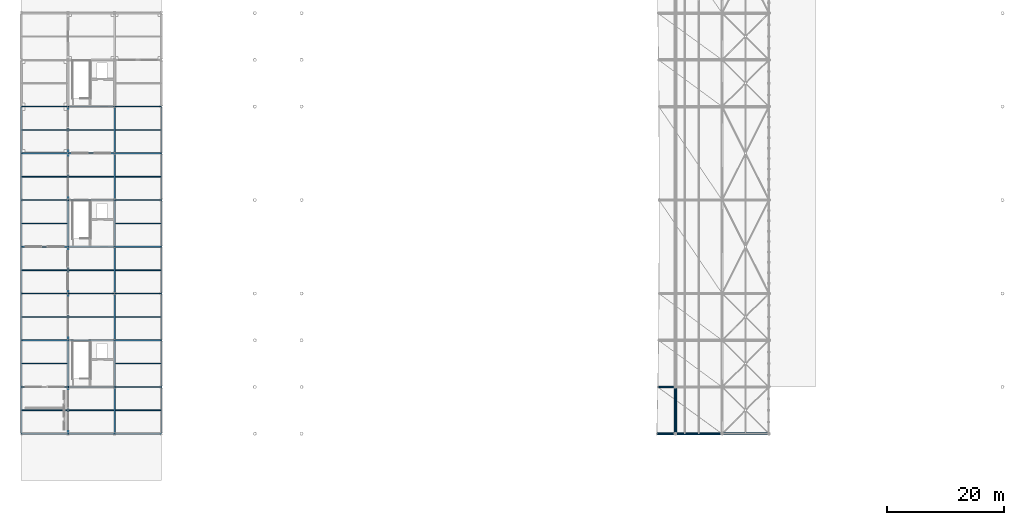
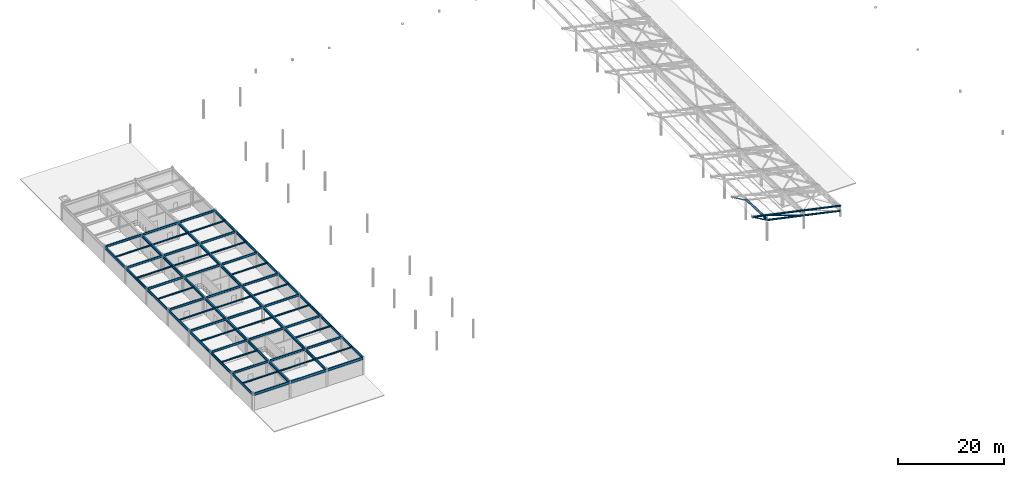
# One storey, part 13 of 41: 72 beams, 5 members.
"""IFC4 building model written with IfcOpenShell, lengths in metres."""

from ifc_helpers import new_model, si_unit, direction, frame, origin, origin_2d, place, context, subcontext, project, spatial, hollow_circle, i_section, extrude, material, material_profile, profile_set, type_object, element, save


model = new_model("IFC4")

# Units and contexts
model_context = context("Model", 3, precision=1e-05, world=origin(), true_north=direction((0.0, 1.0)))
body_context = subcontext(model_context, "Body", "Model", "MODEL_VIEW")
ifc_project = project(units=[si_unit("LENGTHUNIT", "METRE"), si_unit("AREAUNIT", "SQUARE_METRE"), si_unit("VOLUMEUNIT", "CUBIC_METRE"), si_unit("PLANEANGLEUNIT", "RADIAN"), si_unit("MASSUNIT", "GRAM", prefix="KILO")], contexts=[model_context])

# Site, building, storey
site_placement = place(None, origin())
site = spatial("IfcSite", under=ifc_project, at=site_placement, CompositionType="ELEMENT")
building_placement = place(site_placement, origin())
building = spatial("IfcBuilding", under=site, at=building_placement, Name="Haebicheon Civic Stadium", CompositionType="ELEMENT")
storey_placement = place(building_placement, frame((0.0, 0.0, 27.0)))
storey = spatial("IfcBuildingStorey", under=building, at=storey_placement, Name="L07", CompositionType="ELEMENT", Elevation=27.0)

# Beams
ifc_material_1 = material(Name="Steel SM355 (S355)", Category="steel")
ifc_material_profile_1 = material_profile(ifc_material_1, i_section(OverallWidth=0.199951171875, OverallDepth=0.5, WebThickness=0.010009765625, FlangeThickness=0.01611328125, at=origin_2d()), Name="H-500x200x10x16")
ifc_profile_set_1 = profile_set([ifc_material_profile_1], Name="Steel SM355 (S355)")
beam_type_1 = type_object("IfcBeamType", Name="BM-ST-H500", PredefinedType="BEAM", material=ifc_profile_set_1)
for number, where, z_axis, x_axis, name in (
    (1, (24.0, 56.0, 3.72998046875), (1.0, 0.0, 0.0), (0.0, 1.0, 0.0), "L07 beam H/4-5"),
    (2, (24.0, 64.0, 3.72998046875), (1.0, 0.0, 0.0), (0.0, 1.0, 0.0), "L07 beam J/4-5"),
    (3, (24.0, 72.0, 3.72998046875), (1.0, 0.0, 0.0), (0.0, 1.0, 0.0), "L07 beam K/4-5"),
    (4, (24.0, 80.0, 3.72998046875), (1.0, 0.0, 0.0), (0.0, 1.0, 0.0), "L07 beam L/4-5"),
    (5, (24.0, 88.0, 3.72998046875), (1.0, 0.0, 0.0), (0.0, 1.0, 0.0), "L07 beam M/4-5"),
    (6, (24.0, 96.0, 3.72998046875), (1.0, 0.0, 0.0), (0.0, 1.0, 0.0), "L07 beam N/4-5"),
    (7, (24.0, 104.0, 3.72998046875), (1.0, 0.0, 0.0), (0.0, 1.0, 0.0), "L07 beam P/4-5"),
    (8, (32.0, 56.0, 3.72998046875), (1.0, 0.0, 0.0), (0.0, 1.0, 0.0), "L07 beam H/5-6"),
    (9, (32.0, 64.0, 3.72998046875), (1.0, 0.0, 0.0), (0.0, 1.0, 0.0), "L07 beam J/5-6"),
    (10, (32.0, 72.0, 3.72998046875), (1.0, 0.0, 0.0), (0.0, 1.0, 0.0), "L07 beam K/5-6"),
    (11, (32.0, 80.0, 3.72998046875), (1.0, 0.0, 0.0), (0.0, 1.0, 0.0), "L07 beam L/5-6"),
    (12, (32.0, 88.0, 3.72998046875), (1.0, 0.0, 0.0), (0.0, 1.0, 0.0), "L07 beam M/5-6"),
    (13, (32.0, 96.0, 3.72998046875), (1.0, 0.0, 0.0), (0.0, 1.0, 0.0), "L07 beam N/5-6"),
    (14, (32.0, 104.0, 3.72998046875), (1.0, 0.0, 0.0), (0.0, 1.0, 0.0), "L07 beam P/5-6"),
    (15, (40.0, 56.0, 3.72998046875), (1.0, 0.0, 0.0), (0.0, 1.0, 0.0), "L07 beam H/6-7"),
    (16, (40.0, 64.0, 3.72998046875), (1.0, 0.0, 0.0), (0.0, 1.0, 0.0), "L07 beam J/6-7"),
    (17, (40.0, 72.0, 3.72998046875), (1.0, 0.0, 0.0), (0.0, 1.0, 0.0), "L07 beam K/6-7"),
    (18, (40.0, 80.0, 3.72998046875), (1.0, 0.0, 0.0), (0.0, 1.0, 0.0), "L07 beam L/6-7"),
    (19, (40.0, 88.0, 3.72998046875), (1.0, 0.0, 0.0), (0.0, 1.0, 0.0), "L07 beam M/6-7"),
    (20, (40.0, 96.0, 3.72998046875), (1.0, 0.0, 0.0), (0.0, 1.0, 0.0), "L07 beam N/6-7"),
    (21, (40.0, 104.0, 3.72998046875), (1.0, 0.0, 0.0), (0.0, 1.0, 0.0), "L07 beam P/6-7"),
):
    element("IfcBeam", number, at=place(storey_placement, frame(where, z_axis=z_axis, x_axis=x_axis)), inside=storey, type_object=beam_type_1, material=ifc_profile_set_1, Name=name, PredefinedType="BEAM", context=body_context, shape_type="SweptSolid", body=[
        extrude(i_section(OverallWidth=0.199951171875, OverallDepth=0.5, WebThickness=0.010009765625, FlangeThickness=0.01611328125, at=origin_2d()), origin(), (0.0, 0.0, 1.0), 8.0),
    ])
ifc_material_2 = material(Name="Steel SM355 (S355)", Category="steel")
ifc_material_profile_2 = material_profile(ifc_material_2, i_section(OverallWidth=0.300048828125, OverallDepth=0.60009765625, WebThickness=0.011962890625, FlangeThickness=0.02001953125, at=origin_2d()), Name="H-600x300x12x20")
ifc_profile_set_2 = profile_set([ifc_material_profile_2], Name="Steel SM355 (S355)")
beam_type_2 = type_object("IfcBeamType", Name="BM-ST-H600A", PredefinedType="BEAM", material=ifc_profile_set_2)
for number, where, z_axis, x_axis, name in (
    (22, (32.0, 48.0, 3.679931640625), (0.0, 1.0, 0.0), (-1.0, 0.0, 0.0), "L07 girder 5/G-H"),
    (23, (32.0, 56.0, 3.679931640625), (0.0, 1.0, 0.0), (-1.0, 0.0, 0.0), "L07 girder 5/H-J"),
    (24, (32.0, 64.0, 3.679931640625), (0.0, 1.0, 0.0), (-1.0, 0.0, 0.0), "L07 girder 5/J-K"),
    (25, (32.0, 72.0, 3.679931640625), (0.0, 1.0, 0.0), (-1.0, 0.0, 0.0), "L07 girder 5/K-L"),
    (26, (32.0, 80.0, 3.679931640625), (0.0, 1.0, 0.0), (-1.0, 0.0, 0.0), "L07 girder 5/L-M"),
    (27, (32.0, 88.0, 3.679931640625), (0.0, 1.0, 0.0), (-1.0, 0.0, 0.0), "L07 girder 5/M-N"),
    (28, (32.0, 96.0, 3.679931640625), (0.0, 1.0, 0.0), (-1.0, 0.0, 0.0), "L07 girder 5/N-P"),
    (29, (40.0, 48.0, 3.679931640625), (0.0, 1.0, 0.0), (-1.0, 0.0, 0.0), "L07 girder 6/G-H"),
    (30, (40.0, 56.0, 3.679931640625), (0.0, 1.0, 0.0), (-1.0, 0.0, 0.0), "L07 girder 6/H-J"),
    (31, (40.0, 64.0, 3.679931640625), (0.0, 1.0, 0.0), (-1.0, 0.0, 0.0), "L07 girder 6/J-K"),
    (32, (40.0, 72.0, 3.679931640625), (0.0, 1.0, 0.0), (-1.0, 0.0, 0.0), "L07 girder 6/K-L"),
    (33, (40.0, 80.0, 3.679931640625), (0.0, 1.0, 0.0), (-1.0, 0.0, 0.0), "L07 girder 6/L-M"),
    (34, (40.0, 88.0, 3.679931640625), (0.0, 1.0, 0.0), (-1.0, 0.0, 0.0), "L07 girder 6/M-N"),
    (35, (40.0, 96.0, 3.679931640625), (0.0, 1.0, 0.0), (-1.0, 0.0, 0.0), "L07 girder 6/N-P"),
):
    element("IfcBeam", number, at=place(storey_placement, frame(where, z_axis=z_axis, x_axis=x_axis)), inside=storey, type_object=beam_type_2, material=ifc_profile_set_2, Name=name, PredefinedType="BEAM", context=body_context, shape_type="SweptSolid", body=[
        extrude(i_section(OverallWidth=0.300048828125, OverallDepth=0.60009765625, WebThickness=0.011962890625, FlangeThickness=0.02001953125, at=origin_2d()), origin(), (0.0, 0.0, 1.0), 8.0),
    ])

# Members
ifc_material_3 = material(Name="White painted steel SM490", Category="steel")
ifc_material_profile_3 = material_profile(ifc_material_3, hollow_circle(Radius=0.1337890625, WallThickness=0.011962890625, at=origin_2d()), Name="CHS-267.4x12.0")
ifc_profile_set_3 = profile_set([ifc_material_profile_3], Name="White painted steel SM490")
member_type_1 = type_object("IfcMemberType", Name="BRC-CHS267", PredefinedType="BRACE", material=ifc_profile_set_3)
member_1_placement = place(storey_placement, frame((135.87890625, 48.0, 4.7470703125), z_axis=(-0.867212955161, 0.0, 0.497937436232), x_axis=(0.0, -1.0, 0.0)))
element("IfcMember", 36, at=member_1_placement, inside=storey, type_object=member_type_1, material=ifc_profile_set_3, Name="BR267 diagonal brace CAN-EAST truss 1 tip", PredefinedType="BRACE", context=body_context, shape_type="SweptSolid", body=[
    extrude(hollow_circle(Radius=0.1337890625, WallThickness=0.011962890625, at=origin_2d()), origin(), (0.0, 0.0, 1.0), 3.55029296875),
])
member_2_placement = place(storey_placement, frame((144.0, 48.0, 2.95703125), z_axis=(-0.9412665544, 0.0, 0.3376644393), x_axis=(0.0, -1.0, 0.0)))
element("IfcMember", 37, at=member_2_placement, inside=storey, type_object=member_type_1, material=ifc_profile_set_3, Name="BR267 diagonal brace CAN-EAST truss 1 D2", PredefinedType="BRACE", context=body_context, shape_type="SweptSolid", body=[
    extrude(hollow_circle(Radius=0.1337890625, WallThickness=0.011962890625, at=origin_2d()), origin(), (0.0, 0.0, 1.0), 8.499267578125),
])
member_3_placement = place(storey_placement, frame((135.8798828125, 56.0, 4.4599609375), z_axis=(-0.859424380547, 0.0, 0.51126288162), x_axis=(0.0, -1.0, 0.0)))
element("IfcMember", 38, at=member_3_placement, inside=storey, type_object=member_type_1, material=ifc_profile_set_3, Name="BR267 diagonal brace CAN-EAST truss 2 tip", PredefinedType="BRACE", context=body_context, shape_type="SweptSolid", body=[
    extrude(hollow_circle(Radius=0.1337890625, WallThickness=0.011962890625, at=origin_2d()), origin(), (0.0, 0.0, 1.0), 3.3798828125),
])
ifc_material_4 = material(Name="White painted steel SM490", Category="steel")
ifc_material_profile_4 = material_profile(ifc_material_4, hollow_circle(Radius=0.203125, WallThickness=0.01806640625, at=origin_2d()), Name="CHS-406.4x18.0")
ifc_profile_set_4 = profile_set([ifc_material_profile_4], Name="White painted steel SM490")
member_type_2 = type_object("IfcMemberType", Name="CHD-CHS406", PredefinedType="CHORD", material=ifc_profile_set_4)
member_4_placement = place(storey_placement, frame((152.0, 48.0, 2.386962890625), z_axis=(-0.977659739959, 0.0, 0.210193798345), x_axis=(0.0, -1.0, 0.0)))
element("IfcMember", 39, at=member_4_placement, inside=storey, type_object=member_type_2, material=ifc_profile_set_4, Name="CH406 truss chord CAN-EAST 1 top", PredefinedType="CHORD", context=body_context, shape_type="SweptSolid", body=[
    extrude(hollow_circle(Radius=0.203125, WallThickness=0.01806640625, at=origin_2d()), origin(), (0.0, 0.0, 1.0), 19.638671875),
])
member_5_placement = place(storey_placement, frame((152.0, 48.0, 1.237060546875), z_axis=(-0.977659849808, 0.0, 0.210193287411), x_axis=(0.0, -1.0, 0.0)))
element("IfcMember", 40, at=member_5_placement, inside=storey, type_object=member_type_2, material=ifc_profile_set_4, Name="CH406 truss chord CAN-EAST 1 bottom", PredefinedType="CHORD", context=body_context, shape_type="SweptSolid", body=[
    extrude(hollow_circle(Radius=0.203125, WallThickness=0.01806640625, at=origin_2d()), origin(), (0.0, 0.0, 1.0), 16.36572265625),
])

# Beams
ifc_material_5 = material(Name="Steel SM355 (S355)", Category="steel")
ifc_material_profile_5 = material_profile(ifc_material_5, i_section(OverallWidth=0.125, OverallDepth=0.25, WebThickness=0.006103515625, FlangeThickness=0.009033203125, at=origin_2d()), Name="H-250x125x6x9")
ifc_profile_set_5 = profile_set([ifc_material_profile_5], Name="Steel SM355 (S355)")
beam_type_3 = type_object("IfcBeamType", Name="JST-ST-H250", PredefinedType="JOIST", material=ifc_profile_set_5)
for number, where, z_axis, x_axis, name in (
    (41, (24.10009765625, 52.0, 3.85498046875), (1.0, 0.0, 0.0), (0.0, 1.0, 0.0), "L07 secondary joist 03-06"),
    (42, (24.10009765625, 60.0, 3.85498046875), (1.0, 0.0, 0.0), (0.0, 1.0, 0.0), "L07 secondary joist 03-07"),
    (43, (24.10009765625, 68.0, 3.85498046875), (1.0, 0.0, 0.0), (0.0, 1.0, 0.0), "L07 secondary joist 03-08"),
    (44, (24.10009765625, 76.0, 3.85498046875), (1.0, 0.0, 0.0), (0.0, 1.0, 0.0), "L07 secondary joist 03-09"),
    (45, (24.10009765625, 84.0, 3.85498046875), (1.0, 0.0, 0.0), (0.0, 1.0, 0.0), "L07 secondary joist 03-10"),
    (46, (24.10009765625, 92.0, 3.85498046875), (1.0, 0.0, 0.0), (0.0, 1.0, 0.0), "L07 secondary joist 03-11"),
    (47, (24.10009765625, 100.0, 3.85498046875), (1.0, 0.0, 0.0), (0.0, 1.0, 0.0), "L07 secondary joist 03-12"),
):
    element("IfcBeam", number, at=place(storey_placement, frame(where, z_axis=z_axis, x_axis=x_axis)), inside=storey, type_object=beam_type_3, material=ifc_profile_set_5, Name=name, PredefinedType="JOIST", context=body_context, shape_type="SweptSolid", body=[
        extrude(i_section(OverallWidth=0.125, OverallDepth=0.25, WebThickness=0.006103515625, FlangeThickness=0.009033203125, at=origin_2d()), origin(), (0.0, 0.0, 1.0), 7.75),
    ])
for number, where, z_axis, x_axis, name in (
    (48, (32.14990234375, 52.0, 3.85498046875), (1.0, 0.0, 0.0), (0.0, 1.0, 0.0), "L07 secondary joist 04-06"),
    (49, (32.14990234375, 68.0, 3.85498046875), (1.0, 0.0, 0.0), (0.0, 1.0, 0.0), "L07 secondary joist 04-08"),
    (50, (32.14990234375, 76.0, 3.85498046875), (1.0, 0.0, 0.0), (0.0, 1.0, 0.0), "L07 secondary joist 04-09"),
    (51, (32.14990234375, 92.0, 3.85498046875), (1.0, 0.0, 0.0), (0.0, 1.0, 0.0), "L07 secondary joist 04-11"),
    (52, (32.14990234375, 100.0, 3.85498046875), (1.0, 0.0, 0.0), (0.0, 1.0, 0.0), "L07 secondary joist 04-12"),
):
    element("IfcBeam", number, at=place(storey_placement, frame(where, z_axis=z_axis, x_axis=x_axis)), inside=storey, type_object=beam_type_3, material=ifc_profile_set_5, Name=name, PredefinedType="JOIST", context=body_context, shape_type="SweptSolid", body=[
        extrude(i_section(OverallWidth=0.125, OverallDepth=0.25, WebThickness=0.006103515625, FlangeThickness=0.009033203125, at=origin_2d()), origin(), (0.0, 0.0, 1.0), 7.7001953125),
    ])
for number, where, z_axis, x_axis, name in (
    (53, (40.14990234375, 52.0, 3.85498046875), (1.0, 0.0, 0.0), (0.0, 1.0, 0.0), "L07 secondary joist 05-06"),
    (54, (40.14990234375, 60.0, 3.85498046875), (1.0, 0.0, 0.0), (0.0, 1.0, 0.0), "L07 secondary joist 05-07"),
    (55, (40.14990234375, 68.0, 3.85498046875), (1.0, 0.0, 0.0), (0.0, 1.0, 0.0), "L07 secondary joist 05-08"),
    (56, (40.14990234375, 76.0, 3.85498046875), (1.0, 0.0, 0.0), (0.0, 1.0, 0.0), "L07 secondary joist 05-09"),
    (57, (40.14990234375, 84.0, 3.85498046875), (1.0, 0.0, 0.0), (0.0, 1.0, 0.0), "L07 secondary joist 05-10"),
    (58, (40.14990234375, 92.0, 3.85498046875), (1.0, 0.0, 0.0), (0.0, 1.0, 0.0), "L07 secondary joist 05-11"),
    (59, (40.14990234375, 100.0, 3.85498046875), (1.0, 0.0, 0.0), (0.0, 1.0, 0.0), "L07 secondary joist 05-12"),
):
    element("IfcBeam", number, at=place(storey_placement, frame(where, z_axis=z_axis, x_axis=x_axis)), inside=storey, type_object=beam_type_3, material=ifc_profile_set_5, Name=name, PredefinedType="JOIST", context=body_context, shape_type="SweptSolid", body=[
        extrude(i_section(OverallWidth=0.125, OverallDepth=0.25, WebThickness=0.006103515625, FlangeThickness=0.009033203125, at=origin_2d()), origin(), (0.0, 0.0, 1.0), 7.75),
    ])
ifc_material_6 = material(Name="White painted steel SM490", Category="steel")
ifc_material_profile_6 = material_profile(ifc_material_6, hollow_circle(Radius=0.25390625, WallThickness=0.02490234375, at=origin_2d()), Name="CHS-508.0x25.0")
ifc_profile_set_6 = profile_set([ifc_material_profile_6], Name="White painted steel SM490")
beam_type_4 = type_object("IfcBeamType", Name="RB-ST-CHS508", PredefinedType="USERDEFINED", material=ifc_profile_set_6)
beam_placement = place(storey_placement, frame((136.0, 48.0, 4.927001953125), z_axis=(0.0, 0.999347848438, -0.03610924843), x_axis=(-1.0, 0.0, 0.0)))
element("IfcBeam", 60, at=beam_placement, inside=storey, type_object=beam_type_4, material=ifc_profile_set_6, Name="CAN-EAST polygonal ring beam RB-PIR bay 1", ObjectType="RING BEAM", PredefinedType="USERDEFINED", context=body_context, shape_type="SweptSolid", body=[
    extrude(hollow_circle(Radius=0.25390625, WallThickness=0.02490234375, at=origin_2d()), origin(), (0.0, 0.0, 1.0), 8.005126953125),
])
ifc_material_7 = material(Name="Steel SM355 (S355)", Category="steel")
ifc_material_profile_7 = material_profile(ifc_material_7, i_section(OverallWidth=0.199951171875, OverallDepth=0.60009765625, WebThickness=0.010986328125, FlangeThickness=0.01708984375, at=origin_2d()), Name="H-600x200x11x17")
ifc_profile_set_7 = profile_set([ifc_material_profile_7], Name="Steel SM355 (S355)")
beam_type_5 = type_object("IfcBeamType", Name="SPD-ST-H600B", PredefinedType="SPANDREL", material=ifc_profile_set_7)
for number, where, z_axis, x_axis, name in (
    (61, (24.0, 48.0, 3.679931640625), (0.0, 1.0, 0.0), (-1.0, 0.0, 0.0), "L07 girder 4/G-H"),
    (62, (24.0, 56.0, 3.679931640625), (0.0, 1.0, 0.0), (-1.0, 0.0, 0.0), "L07 girder 4/H-J"),
    (63, (24.0, 64.0, 3.679931640625), (0.0, 1.0, 0.0), (-1.0, 0.0, 0.0), "L07 girder 4/J-K"),
    (64, (24.0, 72.0, 3.679931640625), (0.0, 1.0, 0.0), (-1.0, 0.0, 0.0), "L07 girder 4/K-L"),
    (65, (24.0, 80.0, 3.679931640625), (0.0, 1.0, 0.0), (-1.0, 0.0, 0.0), "L07 girder 4/L-M"),
    (66, (24.0, 88.0, 3.679931640625), (0.0, 1.0, 0.0), (-1.0, 0.0, 0.0), "L07 girder 4/M-N"),
    (67, (24.0, 96.0, 3.679931640625), (0.0, 1.0, 0.0), (-1.0, 0.0, 0.0), "L07 girder 4/N-P"),
    (68, (48.0, 48.0, 3.679931640625), (0.0, 1.0, 0.0), (-1.0, 0.0, 0.0), "L07 girder 7/G-H"),
    (69, (48.0, 56.0, 3.679931640625), (0.0, 1.0, 0.0), (-1.0, 0.0, 0.0), "L07 girder 7/H-J"),
    (70, (48.0, 64.0, 3.679931640625), (0.0, 1.0, 0.0), (-1.0, 0.0, 0.0), "L07 girder 7/J-K"),
    (71, (48.0, 72.0, 3.679931640625), (0.0, 1.0, 0.0), (-1.0, 0.0, 0.0), "L07 girder 7/K-L"),
    (72, (48.0, 80.0, 3.679931640625), (0.0, 1.0, 0.0), (-1.0, 0.0, 0.0), "L07 girder 7/L-M"),
    (73, (48.0, 88.0, 3.679931640625), (0.0, 1.0, 0.0), (-1.0, 0.0, 0.0), "L07 girder 7/M-N"),
    (74, (48.0, 96.0, 3.679931640625), (0.0, 1.0, 0.0), (-1.0, 0.0, 0.0), "L07 girder 7/N-P"),
    (75, (24.0, 48.0, 3.679931640625), (1.0, 0.0, 0.0), (0.0, 1.0, 0.0), "L07 beam G/4-5"),
    (76, (32.0, 48.0, 3.679931640625), (1.0, 0.0, 0.0), (0.0, 1.0, 0.0), "L07 beam G/5-6"),
    (77, (40.0, 48.0, 3.679931640625), (1.0, 0.0, 0.0), (0.0, 1.0, 0.0), "L07 beam G/6-7"),
):
    element("IfcBeam", number, at=place(storey_placement, frame(where, z_axis=z_axis, x_axis=x_axis)), inside=storey, type_object=beam_type_5, material=ifc_profile_set_7, Name=name, PredefinedType="SPANDREL", context=body_context, shape_type="SweptSolid", body=[
        extrude(i_section(OverallWidth=0.199951171875, OverallDepth=0.60009765625, WebThickness=0.010986328125, FlangeThickness=0.01708984375, at=origin_2d()), origin(), (0.0, 0.0, 1.0), 8.0),
    ])

save(model, "model.ifc")
